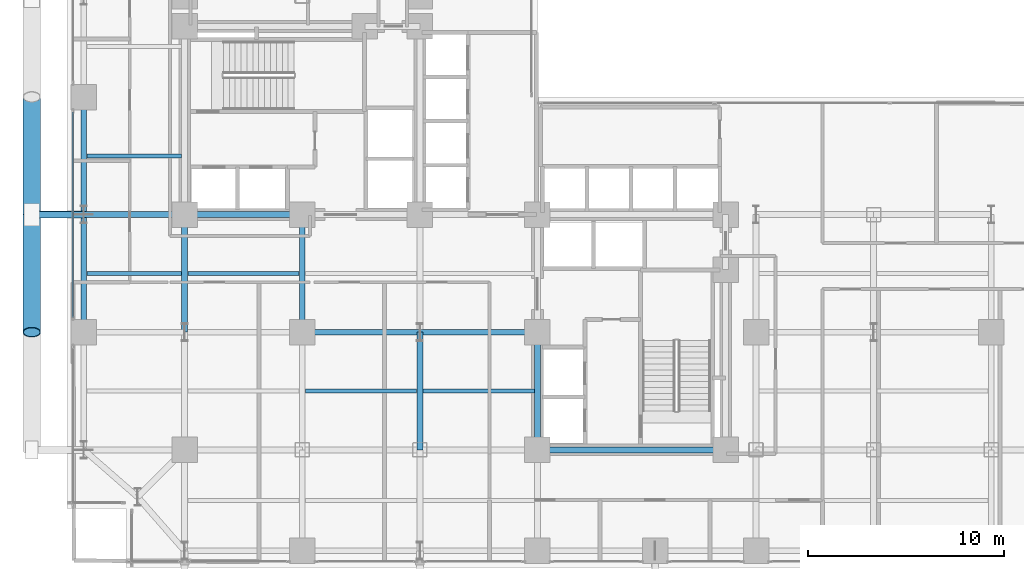
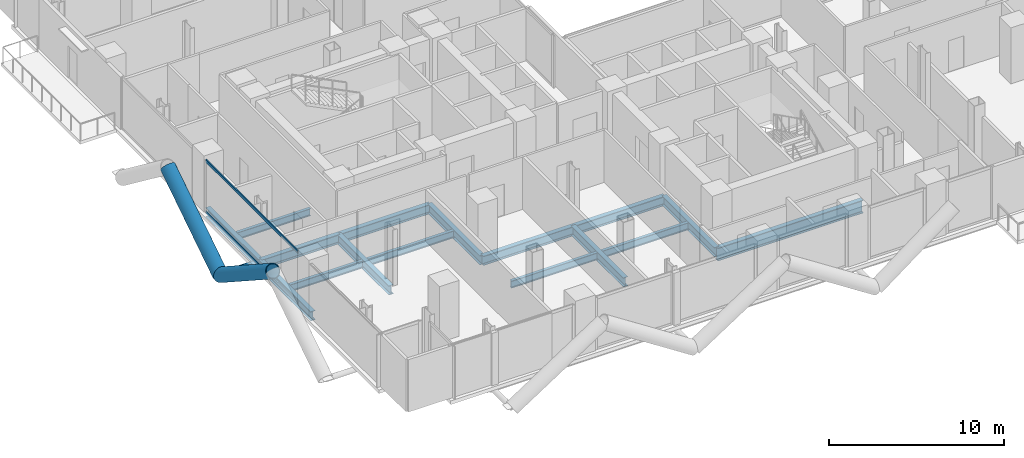
# One storey, part 4 of 27: 16 beams, 5 members, 1 element without a shape of its own.
"""IFC4 building model written with IfcOpenShell, lengths in metres."""

from ifc_helpers import new_model, si_unit, direction, frame, origin, origin_2d, place, context, subcontext, project, spatial, hollow_rectangle, hollow_circle, i_section, extrude, material, layer, layer_set, material_profile, profile_set, type_object, element, aggregate, save


model = new_model("IFC4")

# Units and contexts
model_context = context("Model", 3, precision=1e-05, world=origin(), true_north=direction((0.0, 1.0)))
body_context = subcontext(model_context, "Body", "Model", "MODEL_VIEW")
ifc_project = project(units=[si_unit("LENGTHUNIT", "METRE"), si_unit("AREAUNIT", "SQUARE_METRE"), si_unit("VOLUMEUNIT", "CUBIC_METRE"), si_unit("PLANEANGLEUNIT", "RADIAN"), si_unit("MASSUNIT", "GRAM", prefix="KILO"), si_unit("THERMODYNAMICTEMPERATUREUNIT", "KELVIN"), si_unit("POWERUNIT", "WATT")], contexts=[model_context])

# Site, building, storey
site_placement = place(None, origin())
site = spatial("IfcSite", under=ifc_project, at=site_placement, CompositionType="ELEMENT")
building_placement = place(site_placement, origin())
building = spatial("IfcBuilding", under=site, at=building_placement, Name="Svarakhadi Broadcast Tower", CompositionType="ELEMENT")
storey_placement = place(building_placement, frame((0.0, 0.0, 71.39990234375)))
storey = spatial("IfcBuildingStorey", under=building, at=storey_placement, Name="L16", CompositionType="ELEMENT", Elevation=71.39990234375)

# Beams
ifc_material_1 = material(Name="Steel S355J2 (IS 2062 E350C)", Category="steel")
ifc_material_profile_1 = material_profile(ifc_material_1, i_section(OverallWidth=0.199951171875, OverallDepth=0.5, WebThickness=0.01025390625, FlangeThickness=0.01611328125, FilletRadius=0.02099609375, at=origin_2d()), Name="NPB 500x200x91")
ifc_profile_set_1 = profile_set([ifc_material_profile_1], Name="Steel S355J2 (IS 2062 E350C)")
beam_type_1 = type_object("IfcBeamType", Name="Beam_NPB500", PredefinedType="BEAM", material=ifc_profile_set_1)
for number, where, z_axis, x_axis, name in (
    (1, (1.010009765625, 15.0, -0.5), (1.0, 0.0, 0.0), (0.0, 1.0, 0.0), "L16 Secondary Composite Beam SB002"),
    (2, (1.010009765625, 21.0, -0.5), (1.0, 0.0, 0.0), (0.0, 1.0, 0.0), "L16 Secondary Composite Beam SB003"),
):
    element("IfcBeam", number, at=place(storey_placement, frame(where, z_axis=z_axis, x_axis=x_axis)), inside=storey, type_object=beam_type_1, Name=name, PredefinedType="BEAM", context=body_context, shape_type="SweptSolid", body=[
        extrude(i_section(OverallWidth=0.199951171875, OverallDepth=0.5, WebThickness=0.01025390625, FlangeThickness=0.01611328125, FilletRadius=0.02099609375, at=origin_2d()), origin(), (0.0, 0.0, 1.0), 4.830078125),
    ])
for number, where, z_axis, x_axis, name in (
    (3, (6.159912109375, 15.0, -0.5), (1.0, 0.0, 0.0), (0.0, 1.0, 0.0), "L16 Secondary Composite Beam SB009"),
    (4, (12.159912109375, 9.0, -0.5), (1.0, 0.0, 0.0), (0.0, 1.0, 0.0), "L16 Secondary Composite Beam SB014"),
    (5, (18.159912109375, 9.0, -0.5), (1.0, 0.0, 0.0), (0.0, 1.0, 0.0), "L16 Secondary Composite Beam SB020"),
):
    element("IfcBeam", number, at=place(storey_placement, frame(where, z_axis=z_axis, x_axis=x_axis)), inside=storey, type_object=beam_type_1, Name=name, PredefinedType="BEAM", context=body_context, shape_type="SweptSolid", body=[
        extrude(i_section(OverallWidth=0.199951171875, OverallDepth=0.5, WebThickness=0.01025390625, FlangeThickness=0.01611328125, FilletRadius=0.02099609375, at=origin_2d()), origin(), (0.0, 0.0, 1.0), 5.68017578125),
    ])

# Curtain wall, members
ifc_material_2 = material(Name="Anodised Bronze Aluminium AA 6063-T6", Category="aluminium")
ifc_layer = layer(ifc_material_2, 0.219970703125)
ifc_layer_set = layer_set([ifc_layer], Name="Anodised Bronze Aluminium AA 6063-T6")
curtain_wall_type = type_object("IfcCurtainWallType", Name="CW_Sys_02", PredefinedType="NOTDEFINED", material=ifc_layer_set)
curtain_wall_placement = place(storey_placement, origin())
curtain_wall = element("IfcCurtainWall", 6, at=curtain_wall_placement, inside=storey, type_object=curtain_wall_type, Name="L16 West Curtain Wall 02 Bay 2", PredefinedType="NOTDEFINED")
ifc_material_profile_2 = material_profile(ifc_material_2, hollow_rectangle(XDim=0.074951171875, YDim=0.199951171875, WallThickness=0.0048828125, at=origin_2d()), Name="ALU TRANSOM 200x75x5")
ifc_profile_set_2 = profile_set([ifc_material_profile_2], Name="Anodised Bronze Aluminium AA 6063-T6")
member_type_1 = type_object("IfcMemberType", Name="CW_Sys_02_Trn", PredefinedType="USERDEFINED", material=ifc_profile_set_2)
member_1_placement = place(storey_placement, frame((0.300048828125, 12.7548828125, 0.03759765625), z_axis=(0.0, 1.0, 0.0), x_axis=(-1.0, 0.0, 0.0)))
member_1 = element("IfcMember", 7, at=member_1_placement, type_object=member_type_1, Name="CW-02 transom 1.1", ObjectType="TRANSOM", PredefinedType="USERDEFINED", context=body_context, shape_type="SweptSolid", body=[
    extrude(hollow_rectangle(XDim=0.074951171875, YDim=0.199951171875, WallThickness=0.0048828125, at=origin_2d()), origin(), (0.0, 0.0, 1.0), 10.490234375),
])
member_2_placement = place(storey_placement, frame((0.300048828125, 12.7548828125, 3.612548828125), z_axis=(0.0, 1.0, 0.0), x_axis=(-1.0, 0.0, 0.0)))
member_2 = element("IfcMember", 8, at=member_2_placement, type_object=member_type_1, Name="CW-02 transom 1.2", ObjectType="TRANSOM", PredefinedType="USERDEFINED", context=body_context, shape_type="SweptSolid", body=[
    extrude(hollow_rectangle(XDim=0.074951171875, YDim=0.199951171875, WallThickness=0.0048828125, at=origin_2d()), origin(), (0.0, 0.0, 1.0), 10.490234375),
])
aggregate(curtain_wall, [member_1, member_2])

# Members
ifc_material_3 = material(Name="Steel S460ML (IS 2062 E450BR)", Category="steel")
ifc_material_profile_3 = material_profile(ifc_material_3, hollow_circle(Radius=0.45703125, WallThickness=0.044921875, at=origin_2d()), Name="CHS 914x45")
ifc_profile_set_3 = profile_set([ifc_material_profile_3], Name="Steel S460ML (IS 2062 E450BR)")
member_type_2 = type_object("IfcMemberType", Name="Exo_Brace_CHS914", PredefinedType="BRACE", material=ifc_profile_set_3)
for number, where, z_axis, x_axis, name in (
    (9, (-1.800048828125, 18.0, -0.427734375), (0.0, -0.838434262763, 0.545002740383), (1.0, 0.0, 0.0), "L16 Exposed Bronze Exoskeleton Diagonal W07"),
    (10, (-1.800048828125, 18.0, -0.427734375), (0.0, 0.838434262763, 0.545002740383), (-1.0, 0.0, 0.0), "L16 Exposed Bronze Exoskeleton Diagonal W08"),
):
    element("IfcMember", number, at=place(storey_placement, frame(where, z_axis=z_axis, x_axis=x_axis)), inside=storey, type_object=member_type_2, Name=name, PredefinedType="BRACE", context=body_context, shape_type="SweptSolid", body=[
        extrude(hollow_circle(Radius=0.45703125, WallThickness=0.044921875, at=origin_2d()), origin(), (0.0, 0.0, 1.0), 7.15625),
    ])
ifc_material_profile_4 = material_profile(ifc_material_3, hollow_circle(Radius=0.177734375, WallThickness=0.02001953125, at=origin_2d()), Name="CHS 355.6x20")
ifc_profile_set_4 = profile_set([ifc_material_profile_4], Name="Steel S460ML (IS 2062 E450BR)")
member_type_3 = type_object("IfcMemberType", Name="Exo_Radial_Strut_Z1", PredefinedType="STRUT", material=ifc_profile_set_4)
member_3_placement = place(storey_placement, frame((-1.800048828125, 18.0, -0.427734375), z_axis=(1.0, 0.0, 0.0), x_axis=(0.0, 1.0, 0.0)))
element("IfcMember", 11, at=member_3_placement, inside=storey, type_object=member_type_3, Name="L16 Exoskeleton Radial Tie Strut W06", PredefinedType="STRUT", context=body_context, shape_type="SweptSolid", body=[
    extrude(hollow_circle(Radius=0.177734375, WallThickness=0.02001953125, at=origin_2d()), origin(), (0.0, 0.0, 1.0), 2.650146484375),
])

# Beams
ifc_material_profile_5 = material_profile(ifc_material_1, i_section(OverallWidth=0.300048828125, OverallDepth=0.64990234375, WebThickness=0.01611328125, FlangeThickness=0.031005859375, FilletRadius=0.027099609375, at=origin_2d()), Name="WPB 650x300x225")
ifc_profile_set_5 = profile_set([ifc_material_profile_5], Name="Steel S355J2 (IS 2062 E350C)")
beam_type_2 = type_object("IfcBeamType", Name="Girder_WPB650", PredefinedType="USERDEFINED", material=ifc_profile_set_5)
for number, where, z_axis, x_axis, name in (
    (12, (12.0, 12.0, -0.574951171875), (1.0, 0.0, 0.0), (0.0, 1.0, 0.0), "L16 Primary E-W Girder G021"),
    (13, (18.0, 12.0, -0.574951171875), (1.0, 0.0, 0.0), (0.0, 1.0, 0.0), "L16 Primary E-W Girder G022"),
):
    element("IfcBeam", number, at=place(storey_placement, frame(where, z_axis=z_axis, x_axis=x_axis)), inside=storey, type_object=beam_type_2, Name=name, ObjectType="GIRDER", PredefinedType="USERDEFINED", context=body_context, shape_type="SweptSolid", body=[
        extrude(i_section(OverallWidth=0.300048828125, OverallDepth=0.64990234375, WebThickness=0.01611328125, FlangeThickness=0.031005859375, FilletRadius=0.027099609375, at=origin_2d()), origin(), (0.0, 0.0, 1.0), 6.0),
    ])
beam_1_placement = place(storey_placement, frame((0.85009765625, 18.0, -0.574951171875), z_axis=(1.0, 0.0, 0.0), x_axis=(0.0, 1.0, 0.0)))
element("IfcBeam", 14, at=beam_1_placement, inside=storey, type_object=beam_type_2, Name="L16 Primary E-W Girder G025", ObjectType="GIRDER", PredefinedType="USERDEFINED", context=body_context, shape_type="SweptSolid", body=[
    extrude(i_section(OverallWidth=0.300048828125, OverallDepth=0.64990234375, WebThickness=0.01611328125, FlangeThickness=0.031005859375, FilletRadius=0.027099609375, at=origin_2d()), origin(), (0.0, 0.0, 1.0), 5.14990234375),
])
for number, where, z_axis, x_axis, name in (
    (15, (6.0, 18.0, -0.574951171875), (1.0, 0.0, 0.0), (0.0, 1.0, 0.0), "L16 Primary E-W Girder G026"),
    (16, (0.85009765625, 12.0, -0.574951171875), (0.0, 1.0, 0.0), (-1.0, 0.0, 0.0), "L16 Primary N-S Girder G046"),
    (17, (0.85009765625, 18.0, -0.574951171875), (0.0, 1.0, 0.0), (-1.0, 0.0, 0.0), "L16 Primary N-S Girder G047"),
    (18, (6.0, 12.0, -0.574951171875), (0.0, 1.0, 0.0), (-1.0, 0.0, 0.0), "L16 Primary N-S Girder G053"),
    (19, (12.0, 12.0, -0.574951171875), (0.0, 1.0, 0.0), (-1.0, 0.0, 0.0), "L16 Primary N-S Girder G060"),
    (20, (18.0, 6.0, -0.574951171875), (0.0, 1.0, 0.0), (-1.0, 0.0, 0.0), "L16 Primary N-S Girder G065"),
    (21, (24.0, 6.0, -0.574951171875), (0.0, 1.0, 0.0), (-1.0, 0.0, 0.0), "L16 Primary N-S Girder G072"),
):
    element("IfcBeam", number, at=place(storey_placement, frame(where, z_axis=z_axis, x_axis=x_axis)), inside=storey, type_object=beam_type_2, Name=name, ObjectType="GIRDER", PredefinedType="USERDEFINED", context=body_context, shape_type="SweptSolid", body=[
        extrude(i_section(OverallWidth=0.300048828125, OverallDepth=0.64990234375, WebThickness=0.01611328125, FlangeThickness=0.031005859375, FilletRadius=0.027099609375, at=origin_2d()), origin(), (0.0, 0.0, 1.0), 6.0),
    ])
ifc_material_profile_6 = material_profile(ifc_material_3, i_section(OverallWidth=0.300048828125, OverallDepth=0.89990234375, WebThickness=0.0185546875, FlangeThickness=0.034912109375, FilletRadius=0.030029296875, at=origin_2d()), Name="WPB 900x300x291")
ifc_profile_set_6 = profile_set([ifc_material_profile_6], Name="Steel S460ML (IS 2062 E450BR)")
beam_type_3 = type_object("IfcBeamType", Name="Girder_WPB900", PredefinedType="USERDEFINED", material=ifc_profile_set_6)
beam_2_placement = place(storey_placement, frame((24.0, 6.0, -0.699951171875), z_axis=(1.0, 0.0, 0.0), x_axis=(0.0, 1.0, 0.0)))
element("IfcBeam", 22, at=beam_2_placement, inside=storey, type_object=beam_type_3, Name="L16 Primary E-W Girder G015", ObjectType="GIRDER", PredefinedType="USERDEFINED", context=body_context, shape_type="SweptSolid", body=[
    extrude(i_section(OverallWidth=0.300048828125, OverallDepth=0.89990234375, WebThickness=0.0185546875, FlangeThickness=0.034912109375, FilletRadius=0.030029296875, at=origin_2d()), origin(), (0.0, 0.0, 1.0), 9.60009765625),
])

save(model, "model.ifc")
